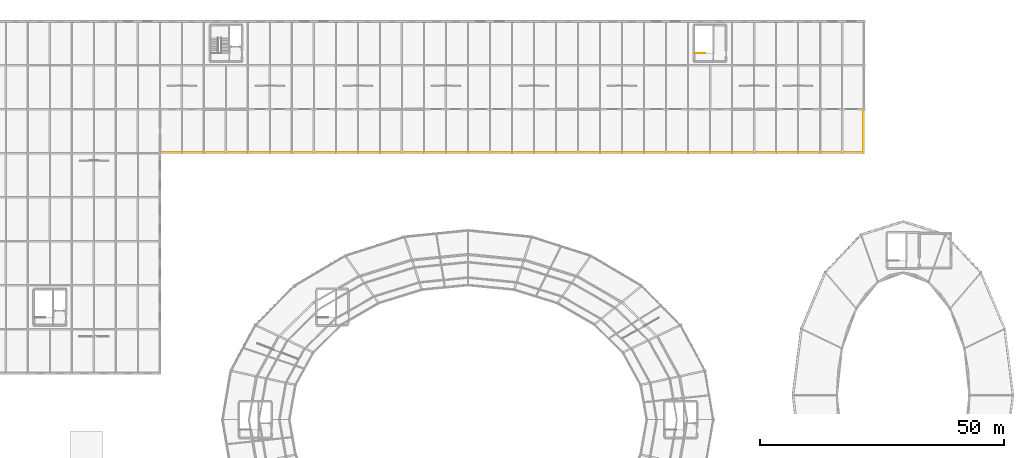
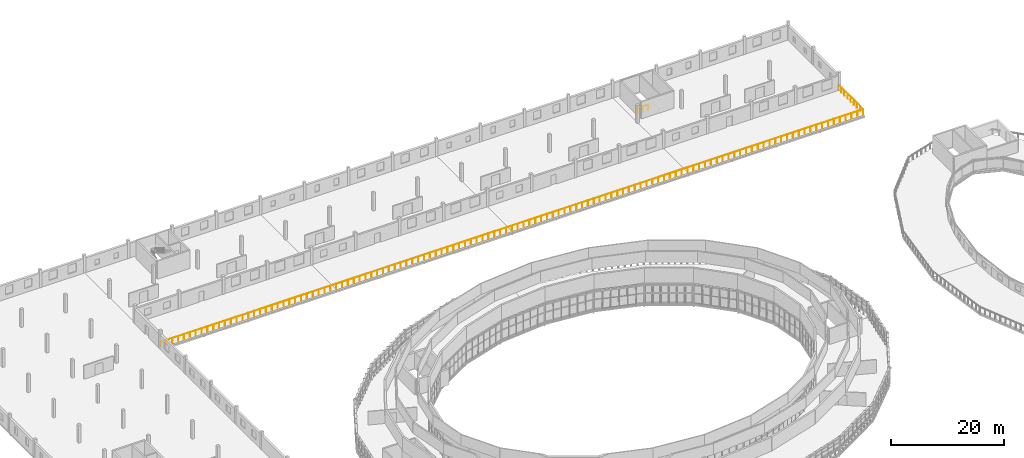
# One storey, part 123 of 123: 2 railings.
"""IFC4 building model written with IfcOpenShell, lengths in metres."""

from ifc_helpers import new_model, si_unit, direction, frame, origin, origin_2d, place, context, subcontext, project, spatial, circle, extrude, material, type_object, element, save


model = new_model("IFC4")

# Units and contexts
model_context = context("Model", 3, precision=1e-05, world=origin(), true_north=direction((0.0, 1.0)))
body_context = subcontext(model_context, "Body", "Model", "MODEL_VIEW")
ifc_project = project(units=[si_unit("LENGTHUNIT", "METRE"), si_unit("AREAUNIT", "SQUARE_METRE"), si_unit("VOLUMEUNIT", "CUBIC_METRE"), si_unit("PLANEANGLEUNIT", "RADIAN"), si_unit("MASSUNIT", "GRAM", prefix="KILO")], contexts=[model_context])

# Site, building, storey
site_placement = place(None, origin())
site = spatial("IfcSite", under=ifc_project, at=site_placement, CompositionType="ELEMENT")
building_placement = place(site_placement, origin())
building = spatial("IfcBuilding", under=site, at=building_placement, Name="Kildeholm Park Wholesale Market", CompositionType="ELEMENT")
storey_placement = place(building_placement, frame((0.0, 0.0, 9.60009765625)))
storey = spatial("IfcBuildingStorey", under=building, at=storey_placement, Name="L02", CompositionType="ELEMENT", Elevation=9.60009765625)

# Railings
ifc_material_1 = material(Name="Painted steel and laminated glass balustrade", Category="steel")
railing_type_1 = type_object("IfcRailingType", Name="Interior gallery and stairwell guard GR-IN1 1200 mm", PredefinedType="GUARDRAIL", material=ifc_material_1)
railing_1_placement = place(storey_placement, frame((145.360107421875, 164.429931640625, 0.0)))
element("IfcRailing", 1, at=railing_1_placement, inside=storey, type_object=railing_type_1, Name="Stair C03 upper floor well guard L02 RLG-0047", PredefinedType="GUARDRAIL", context=body_context, shape_type="SweptSolid", body=[
    extrude(circle(Radius=0.02392578125, at=origin_2d()), frame((0.0, 0.0, 1.17578125), z_axis=(1.0, 0.0, 0.0), x_axis=(0.0, 1.0, 0.0)), (0.0, 0.0, 1.0), 2.18994140625),
    extrude(circle(Radius=0.02099609375, at=origin_2d()), origin(), (0.0, 0.0, 1.0), 1.15185546875),
    extrude(circle(Radius=0.02099609375, at=origin_2d()), frame((1.094970703125, 0.0, 0.0)), (0.0, 0.0, 1.0), 1.15185546875),
    extrude(circle(Radius=0.02099609375, at=origin_2d()), frame((2.18994140625, 0.0, 0.0)), (0.0, 0.0, 1.0), 1.15185546875),
])
ifc_material_2 = material(Name="Painted galvanized steel and stainless-steel balustrade", Category="steel")
railing_type_2 = type_object("IfcRailingType", Name="Terrace and roof-garden balustrade GR-EX1 1200 mm", PredefinedType="GUARDRAIL", material=ifc_material_2)
railing_2_placement = place(storey_placement, frame((36.14990234375, 144.14990234375, 0.0)))
element("IfcRailing", 2, at=railing_2_placement, inside=storey, type_object=railing_type_2, Name="Cold-block L02 south terrace balustrade RLG-0002", PredefinedType="GUARDRAIL", context=body_context, shape_type="SweptSolid", body=[
    extrude(circle(Radius=0.02392578125, at=origin_2d()), frame((0.0, 0.0, 1.17578125), z_axis=(1.0, 0.0, 0.0), x_axis=(0.0, 1.0, 0.0)), (0.0, 0.0, 1.0), 143.7001953125),
    extrude(circle(Radius=0.02392578125, at=origin_2d()), frame((143.7001953125, 0.0, 1.17578125), z_axis=(0.0, 1.0, 0.0), x_axis=(-1.0, 0.0, 0.0)), (0.0, 0.0, 1.0), 8.85009765625),
    extrude(circle(Radius=0.02099609375, at=origin_2d()), origin(), (0.0, 0.0, 1.0), 1.15185546875),
    extrude(circle(Radius=0.02099609375, at=origin_2d()), frame((1.197509765625, 0.0, 0.0)), (0.0, 0.0, 1.0), 1.15185546875),
    extrude(circle(Radius=0.02099609375, at=origin_2d()), frame((2.39501953125, 0.0, 0.0)), (0.0, 0.0, 1.0), 1.15185546875),
    extrude(circle(Radius=0.02099609375, at=origin_2d()), frame((3.592529296875, 0.0, 0.0)), (0.0, 0.0, 1.0), 1.15185546875),
    extrude(circle(Radius=0.02099609375, at=origin_2d()), frame((4.7900390625, 0.0, 0.0)), (0.0, 0.0, 1.0), 1.15185546875),
    extrude(circle(Radius=0.02099609375, at=origin_2d()), frame((5.987548828125, 0.0, 0.0)), (0.0, 0.0, 1.0), 1.15185546875),
    extrude(circle(Radius=0.02099609375, at=origin_2d()), frame((7.18505859375, 0.0, 0.0)), (0.0, 0.0, 1.0), 1.15185546875),
    extrude(circle(Radius=0.02099609375, at=origin_2d()), frame((8.382568359375, 0.0, 0.0)), (0.0, 0.0, 1.0), 1.15185546875),
    extrude(circle(Radius=0.02099609375, at=origin_2d()), frame((9.580078125, 0.0, 0.0)), (0.0, 0.0, 1.0), 1.15185546875),
    extrude(circle(Radius=0.02099609375, at=origin_2d()), frame((10.777587890625, 0.0, 0.0)), (0.0, 0.0, 1.0), 1.15185546875),
    extrude(circle(Radius=0.02099609375, at=origin_2d()), frame((11.97509765625, 0.0, 0.0)), (0.0, 0.0, 1.0), 1.15185546875),
    extrude(circle(Radius=0.02099609375, at=origin_2d()), frame((13.172607421875, 0.0, 0.0)), (0.0, 0.0, 1.0), 1.15185546875),
    extrude(circle(Radius=0.02099609375, at=origin_2d()), frame((14.3701171875, 0.0, 0.0)), (0.0, 0.0, 1.0), 1.15185546875),
    extrude(circle(Radius=0.02099609375, at=origin_2d()), frame((15.567626953125, 0.0, 0.0)), (0.0, 0.0, 1.0), 1.15185546875),
    extrude(circle(Radius=0.02099609375, at=origin_2d()), frame((16.76513671875, 0.0, 0.0)), (0.0, 0.0, 1.0), 1.15185546875),
    extrude(circle(Radius=0.02099609375, at=origin_2d()), frame((17.96240234375, 0.0, 0.0)), (0.0, 0.0, 1.0), 1.15185546875),
    extrude(circle(Radius=0.02099609375, at=origin_2d()), frame((19.159912109375, 0.0, 0.0)), (0.0, 0.0, 1.0), 1.15185546875),
    extrude(circle(Radius=0.02099609375, at=origin_2d()), frame((20.357421875, 0.0, 0.0)), (0.0, 0.0, 1.0), 1.15185546875),
    extrude(circle(Radius=0.02099609375, at=origin_2d()), frame((21.554931640625, 0.0, 0.0)), (0.0, 0.0, 1.0), 1.15185546875),
    extrude(circle(Radius=0.02099609375, at=origin_2d()), frame((22.75244140625, 0.0, 0.0)), (0.0, 0.0, 1.0), 1.15185546875),
    extrude(circle(Radius=0.02099609375, at=origin_2d()), frame((23.949951171875, 0.0, 0.0)), (0.0, 0.0, 1.0), 1.15185546875),
    extrude(circle(Radius=0.02099609375, at=origin_2d()), frame((25.1474609375, 0.0, 0.0)), (0.0, 0.0, 1.0), 1.15185546875),
    extrude(circle(Radius=0.02099609375, at=origin_2d()), frame((26.344970703125, 0.0, 0.0)), (0.0, 0.0, 1.0), 1.15185546875),
    extrude(circle(Radius=0.02099609375, at=origin_2d()), frame((27.54248046875, 0.0, 0.0)), (0.0, 0.0, 1.0), 1.15185546875),
    extrude(circle(Radius=0.02099609375, at=origin_2d()), frame((28.739990234375, 0.0, 0.0)), (0.0, 0.0, 1.0), 1.15185546875),
    extrude(circle(Radius=0.02099609375, at=origin_2d()), frame((29.9375, 0.0, 0.0)), (0.0, 0.0, 1.0), 1.15185546875),
    extrude(circle(Radius=0.02099609375, at=origin_2d()), frame((31.135009765625, 0.0, 0.0)), (0.0, 0.0, 1.0), 1.15185546875),
    extrude(circle(Radius=0.02099609375, at=origin_2d()), frame((32.33251953125, 0.0, 0.0)), (0.0, 0.0, 1.0), 1.15185546875),
    extrude(circle(Radius=0.02099609375, at=origin_2d()), frame((33.530029296875, 0.0, 0.0)), (0.0, 0.0, 1.0), 1.15185546875),
    extrude(circle(Radius=0.02099609375, at=origin_2d()), frame((34.7275390625, 0.0, 0.0)), (0.0, 0.0, 1.0), 1.15185546875),
    extrude(circle(Radius=0.02099609375, at=origin_2d()), frame((35.925048828125, 0.0, 0.0)), (0.0, 0.0, 1.0), 1.15185546875),
    extrude(circle(Radius=0.02099609375, at=origin_2d()), frame((37.12255859375, 0.0, 0.0)), (0.0, 0.0, 1.0), 1.15185546875),
    extrude(circle(Radius=0.02099609375, at=origin_2d()), frame((38.320068359375, 0.0, 0.0)), (0.0, 0.0, 1.0), 1.15185546875),
    extrude(circle(Radius=0.02099609375, at=origin_2d()), frame((39.517578125, 0.0, 0.0)), (0.0, 0.0, 1.0), 1.15185546875),
    extrude(circle(Radius=0.02099609375, at=origin_2d()), frame((40.715087890625, 0.0, 0.0)), (0.0, 0.0, 1.0), 1.15185546875),
    extrude(circle(Radius=0.02099609375, at=origin_2d()), frame((41.91259765625, 0.0, 0.0)), (0.0, 0.0, 1.0), 1.15185546875),
    extrude(circle(Radius=0.02099609375, at=origin_2d()), frame((43.110107421875, 0.0, 0.0)), (0.0, 0.0, 1.0), 1.15185546875),
    extrude(circle(Radius=0.02099609375, at=origin_2d()), frame((44.3076171875, 0.0, 0.0)), (0.0, 0.0, 1.0), 1.15185546875),
    extrude(circle(Radius=0.02099609375, at=origin_2d()), frame((45.505126953125, 0.0, 0.0)), (0.0, 0.0, 1.0), 1.15185546875),
    extrude(circle(Radius=0.02099609375, at=origin_2d()), frame((46.70263671875, 0.0, 0.0)), (0.0, 0.0, 1.0), 1.15185546875),
    extrude(circle(Radius=0.02099609375, at=origin_2d()), frame((47.900146484375, 0.0, 0.0)), (0.0, 0.0, 1.0), 1.15185546875),
    extrude(circle(Radius=0.02099609375, at=origin_2d()), frame((49.09765625, 0.0, 0.0)), (0.0, 0.0, 1.0), 1.15185546875),
    extrude(circle(Radius=0.02099609375, at=origin_2d()), frame((50.295166015625, 0.0, 0.0)), (0.0, 0.0, 1.0), 1.15185546875),
    extrude(circle(Radius=0.02099609375, at=origin_2d()), frame((51.49267578125, 0.0, 0.0)), (0.0, 0.0, 1.0), 1.15185546875),
    extrude(circle(Radius=0.02099609375, at=origin_2d()), frame((52.690185546875, 0.0, 0.0)), (0.0, 0.0, 1.0), 1.15185546875),
    extrude(circle(Radius=0.02099609375, at=origin_2d()), frame((53.8876953125, 0.0, 0.0)), (0.0, 0.0, 1.0), 1.15185546875),
    extrude(circle(Radius=0.02099609375, at=origin_2d()), frame((55.0849609375, 0.0, 0.0)), (0.0, 0.0, 1.0), 1.15185546875),
    extrude(circle(Radius=0.02099609375, at=origin_2d()), frame((56.282470703125, 0.0, 0.0)), (0.0, 0.0, 1.0), 1.15185546875),
    extrude(circle(Radius=0.02099609375, at=origin_2d()), frame((57.47998046875, 0.0, 0.0)), (0.0, 0.0, 1.0), 1.15185546875),
    extrude(circle(Radius=0.02099609375, at=origin_2d()), frame((58.677490234375, 0.0, 0.0)), (0.0, 0.0, 1.0), 1.15185546875),
    extrude(circle(Radius=0.02099609375, at=origin_2d()), frame((59.875, 0.0, 0.0)), (0.0, 0.0, 1.0), 1.15185546875),
    extrude(circle(Radius=0.02099609375, at=origin_2d()), frame((61.072509765625, 0.0, 0.0)), (0.0, 0.0, 1.0), 1.15185546875),
    extrude(circle(Radius=0.02099609375, at=origin_2d()), frame((62.27001953125, 0.0, 0.0)), (0.0, 0.0, 1.0), 1.15185546875),
    extrude(circle(Radius=0.02099609375, at=origin_2d()), frame((63.467529296875, 0.0, 0.0)), (0.0, 0.0, 1.0), 1.15185546875),
    extrude(circle(Radius=0.02099609375, at=origin_2d()), frame((64.6650390625, 0.0, 0.0)), (0.0, 0.0, 1.0), 1.15185546875),
    extrude(circle(Radius=0.02099609375, at=origin_2d()), frame((65.862548828125, 0.0, 0.0)), (0.0, 0.0, 1.0), 1.15185546875),
    extrude(circle(Radius=0.02099609375, at=origin_2d()), frame((67.06005859375, 0.0, 0.0)), (0.0, 0.0, 1.0), 1.15185546875),
    extrude(circle(Radius=0.02099609375, at=origin_2d()), frame((68.257568359375, 0.0, 0.0)), (0.0, 0.0, 1.0), 1.15185546875),
    extrude(circle(Radius=0.02099609375, at=origin_2d()), frame((69.455078125, 0.0, 0.0)), (0.0, 0.0, 1.0), 1.15185546875),
    extrude(circle(Radius=0.02099609375, at=origin_2d()), frame((70.652587890625, 0.0, 0.0)), (0.0, 0.0, 1.0), 1.15185546875),
    extrude(circle(Radius=0.02099609375, at=origin_2d()), frame((71.85009765625, 0.0, 0.0)), (0.0, 0.0, 1.0), 1.15185546875),
    extrude(circle(Radius=0.02099609375, at=origin_2d()), frame((73.047607421875, 0.0, 0.0)), (0.0, 0.0, 1.0), 1.15185546875),
    extrude(circle(Radius=0.02099609375, at=origin_2d()), frame((74.2451171875, 0.0, 0.0)), (0.0, 0.0, 1.0), 1.15185546875),
    extrude(circle(Radius=0.02099609375, at=origin_2d()), frame((75.442626953125, 0.0, 0.0)), (0.0, 0.0, 1.0), 1.15185546875),
    extrude(circle(Radius=0.02099609375, at=origin_2d()), frame((76.64013671875, 0.0, 0.0)), (0.0, 0.0, 1.0), 1.15185546875),
    extrude(circle(Radius=0.02099609375, at=origin_2d()), frame((77.837646484375, 0.0, 0.0)), (0.0, 0.0, 1.0), 1.15185546875),
    extrude(circle(Radius=0.02099609375, at=origin_2d()), frame((79.03515625, 0.0, 0.0)), (0.0, 0.0, 1.0), 1.15185546875),
    extrude(circle(Radius=0.02099609375, at=origin_2d()), frame((80.232666015625, 0.0, 0.0)), (0.0, 0.0, 1.0), 1.15185546875),
    extrude(circle(Radius=0.02099609375, at=origin_2d()), frame((81.43017578125, 0.0, 0.0)), (0.0, 0.0, 1.0), 1.15185546875),
    extrude(circle(Radius=0.02099609375, at=origin_2d()), frame((82.627685546875, 0.0, 0.0)), (0.0, 0.0, 1.0), 1.15185546875),
    extrude(circle(Radius=0.02099609375, at=origin_2d()), frame((83.8251953125, 0.0, 0.0)), (0.0, 0.0, 1.0), 1.15185546875),
    extrude(circle(Radius=0.02099609375, at=origin_2d()), frame((85.022705078125, 0.0, 0.0)), (0.0, 0.0, 1.0), 1.15185546875),
    extrude(circle(Radius=0.02099609375, at=origin_2d()), frame((86.22021484375, 0.0, 0.0)), (0.0, 0.0, 1.0), 1.15185546875),
    extrude(circle(Radius=0.02099609375, at=origin_2d()), frame((87.417724609375, 0.0, 0.0)), (0.0, 0.0, 1.0), 1.15185546875),
    extrude(circle(Radius=0.02099609375, at=origin_2d()), frame((88.615234375, 0.0, 0.0)), (0.0, 0.0, 1.0), 1.15185546875),
    extrude(circle(Radius=0.02099609375, at=origin_2d()), frame((89.8125, 0.0, 0.0)), (0.0, 0.0, 1.0), 1.15185546875),
    extrude(circle(Radius=0.02099609375, at=origin_2d()), frame((91.010009765625, 0.0, 0.0)), (0.0, 0.0, 1.0), 1.15185546875),
    extrude(circle(Radius=0.02099609375, at=origin_2d()), frame((92.20751953125, 0.0, 0.0)), (0.0, 0.0, 1.0), 1.15185546875),
    extrude(circle(Radius=0.02099609375, at=origin_2d()), frame((93.405029296875, 0.0, 0.0)), (0.0, 0.0, 1.0), 1.15185546875),
    extrude(circle(Radius=0.02099609375, at=origin_2d()), frame((94.6025390625, 0.0, 0.0)), (0.0, 0.0, 1.0), 1.15185546875),
    extrude(circle(Radius=0.02099609375, at=origin_2d()), frame((95.800048828125, 0.0, 0.0)), (0.0, 0.0, 1.0), 1.15185546875),
    extrude(circle(Radius=0.02099609375, at=origin_2d()), frame((96.99755859375, 0.0, 0.0)), (0.0, 0.0, 1.0), 1.15185546875),
    extrude(circle(Radius=0.02099609375, at=origin_2d()), frame((98.195068359375, 0.0, 0.0)), (0.0, 0.0, 1.0), 1.15185546875),
    extrude(circle(Radius=0.02099609375, at=origin_2d()), frame((99.392578125, 0.0, 0.0)), (0.0, 0.0, 1.0), 1.15185546875),
    extrude(circle(Radius=0.02099609375, at=origin_2d()), frame((100.590087890625, 0.0, 0.0)), (0.0, 0.0, 1.0), 1.15185546875),
    extrude(circle(Radius=0.02099609375, at=origin_2d()), frame((101.78759765625, 0.0, 0.0)), (0.0, 0.0, 1.0), 1.15185546875),
    extrude(circle(Radius=0.02099609375, at=origin_2d()), frame((102.985107421875, 0.0, 0.0)), (0.0, 0.0, 1.0), 1.15185546875),
    extrude(circle(Radius=0.02099609375, at=origin_2d()), frame((104.1826171875, 0.0, 0.0)), (0.0, 0.0, 1.0), 1.15185546875),
    extrude(circle(Radius=0.02099609375, at=origin_2d()), frame((105.380126953125, 0.0, 0.0)), (0.0, 0.0, 1.0), 1.15185546875),
    extrude(circle(Radius=0.02099609375, at=origin_2d()), frame((106.57763671875, 0.0, 0.0)), (0.0, 0.0, 1.0), 1.15185546875),
    extrude(circle(Radius=0.02099609375, at=origin_2d()), frame((107.775146484375, 0.0, 0.0)), (0.0, 0.0, 1.0), 1.15185546875),
    extrude(circle(Radius=0.02099609375, at=origin_2d()), frame((108.97265625, 0.0, 0.0)), (0.0, 0.0, 1.0), 1.15185546875),
    extrude(circle(Radius=0.02099609375, at=origin_2d()), frame((110.170166015625, 0.0, 0.0)), (0.0, 0.0, 1.0), 1.15185546875),
    extrude(circle(Radius=0.02099609375, at=origin_2d()), frame((111.36767578125, 0.0, 0.0)), (0.0, 0.0, 1.0), 1.15185546875),
    extrude(circle(Radius=0.02099609375, at=origin_2d()), frame((112.565185546875, 0.0, 0.0)), (0.0, 0.0, 1.0), 1.15185546875),
    extrude(circle(Radius=0.02099609375, at=origin_2d()), frame((113.7626953125, 0.0, 0.0)), (0.0, 0.0, 1.0), 1.15185546875),
    extrude(circle(Radius=0.02099609375, at=origin_2d()), frame((114.960205078125, 0.0, 0.0)), (0.0, 0.0, 1.0), 1.15185546875),
    extrude(circle(Radius=0.02099609375, at=origin_2d()), frame((116.15771484375, 0.0, 0.0)), (0.0, 0.0, 1.0), 1.15185546875),
    extrude(circle(Radius=0.02099609375, at=origin_2d()), frame((117.355224609375, 0.0, 0.0)), (0.0, 0.0, 1.0), 1.15185546875),
    extrude(circle(Radius=0.02099609375, at=origin_2d()), frame((118.552734375, 0.0, 0.0)), (0.0, 0.0, 1.0), 1.15185546875),
    extrude(circle(Radius=0.02099609375, at=origin_2d()), frame((119.750244140625, 0.0, 0.0)), (0.0, 0.0, 1.0), 1.15185546875),
    extrude(circle(Radius=0.02099609375, at=origin_2d()), frame((120.94775390625, 0.0, 0.0)), (0.0, 0.0, 1.0), 1.15185546875),
    extrude(circle(Radius=0.02099609375, at=origin_2d()), frame((122.145263671875, 0.0, 0.0)), (0.0, 0.0, 1.0), 1.15185546875),
    extrude(circle(Radius=0.02099609375, at=origin_2d()), frame((123.3427734375, 0.0, 0.0)), (0.0, 0.0, 1.0), 1.15185546875),
    extrude(circle(Radius=0.02099609375, at=origin_2d()), frame((124.540283203125, 0.0, 0.0)), (0.0, 0.0, 1.0), 1.15185546875),
    extrude(circle(Radius=0.02099609375, at=origin_2d()), frame((125.73779296875, 0.0, 0.0)), (0.0, 0.0, 1.0), 1.15185546875),
    extrude(circle(Radius=0.02099609375, at=origin_2d()), frame((126.93505859375, 0.0, 0.0)), (0.0, 0.0, 1.0), 1.15185546875),
    extrude(circle(Radius=0.02099609375, at=origin_2d()), frame((128.132568359375, 0.0, 0.0)), (0.0, 0.0, 1.0), 1.15185546875),
    extrude(circle(Radius=0.02099609375, at=origin_2d()), frame((129.330078125, 0.0, 0.0)), (0.0, 0.0, 1.0), 1.15185546875),
    extrude(circle(Radius=0.02099609375, at=origin_2d()), frame((130.527587890625, 0.0, 0.0)), (0.0, 0.0, 1.0), 1.15185546875),
    extrude(circle(Radius=0.02099609375, at=origin_2d()), frame((131.72509765625, 0.0, 0.0)), (0.0, 0.0, 1.0), 1.15185546875),
    extrude(circle(Radius=0.02099609375, at=origin_2d()), frame((132.922607421875, 0.0, 0.0)), (0.0, 0.0, 1.0), 1.15185546875),
    extrude(circle(Radius=0.02099609375, at=origin_2d()), frame((134.1201171875, 0.0, 0.0)), (0.0, 0.0, 1.0), 1.15185546875),
    extrude(circle(Radius=0.02099609375, at=origin_2d()), frame((135.317626953125, 0.0, 0.0)), (0.0, 0.0, 1.0), 1.15185546875),
    extrude(circle(Radius=0.02099609375, at=origin_2d()), frame((136.51513671875, 0.0, 0.0)), (0.0, 0.0, 1.0), 1.15185546875),
    extrude(circle(Radius=0.02099609375, at=origin_2d()), frame((137.712646484375, 0.0, 0.0)), (0.0, 0.0, 1.0), 1.15185546875),
    extrude(circle(Radius=0.02099609375, at=origin_2d()), frame((138.91015625, 0.0, 0.0)), (0.0, 0.0, 1.0), 1.15185546875),
    extrude(circle(Radius=0.02099609375, at=origin_2d()), frame((140.107666015625, 0.0, 0.0)), (0.0, 0.0, 1.0), 1.15185546875),
    extrude(circle(Radius=0.02099609375, at=origin_2d()), frame((141.30517578125, 0.0, 0.0)), (0.0, 0.0, 1.0), 1.15185546875),
    extrude(circle(Radius=0.02099609375, at=origin_2d()), frame((142.502685546875, 0.0, 0.0)), (0.0, 0.0, 1.0), 1.15185546875),
    extrude(circle(Radius=0.02099609375, at=origin_2d()), frame((143.7001953125, 0.0, 0.0)), (0.0, 0.0, 1.0), 1.15185546875),
    extrude(circle(Radius=0.02099609375, at=origin_2d()), frame((143.7001953125, 1.106201171875, 0.0)), (0.0, 0.0, 1.0), 1.15185546875),
    extrude(circle(Radius=0.02099609375, at=origin_2d()), frame((143.7001953125, 2.21240234375, 0.0)), (0.0, 0.0, 1.0), 1.15185546875),
    extrude(circle(Radius=0.02099609375, at=origin_2d()), frame((143.7001953125, 3.31884765625, 0.0)), (0.0, 0.0, 1.0), 1.15185546875),
    extrude(circle(Radius=0.02099609375, at=origin_2d()), frame((143.7001953125, 4.425048828125, 0.0)), (0.0, 0.0, 1.0), 1.15185546875),
    extrude(circle(Radius=0.02099609375, at=origin_2d()), frame((143.7001953125, 5.53125, 0.0)), (0.0, 0.0, 1.0), 1.15185546875),
    extrude(circle(Radius=0.02099609375, at=origin_2d()), frame((143.7001953125, 6.6376953125, 0.0)), (0.0, 0.0, 1.0), 1.15185546875),
    extrude(circle(Radius=0.02099609375, at=origin_2d()), frame((143.7001953125, 7.743896484375, 0.0)), (0.0, 0.0, 1.0), 1.15185546875),
    extrude(circle(Radius=0.02099609375, at=origin_2d()), frame((143.7001953125, 8.85009765625, 0.0)), (0.0, 0.0, 1.0), 1.15185546875),
])

save(model, "model.ifc")
